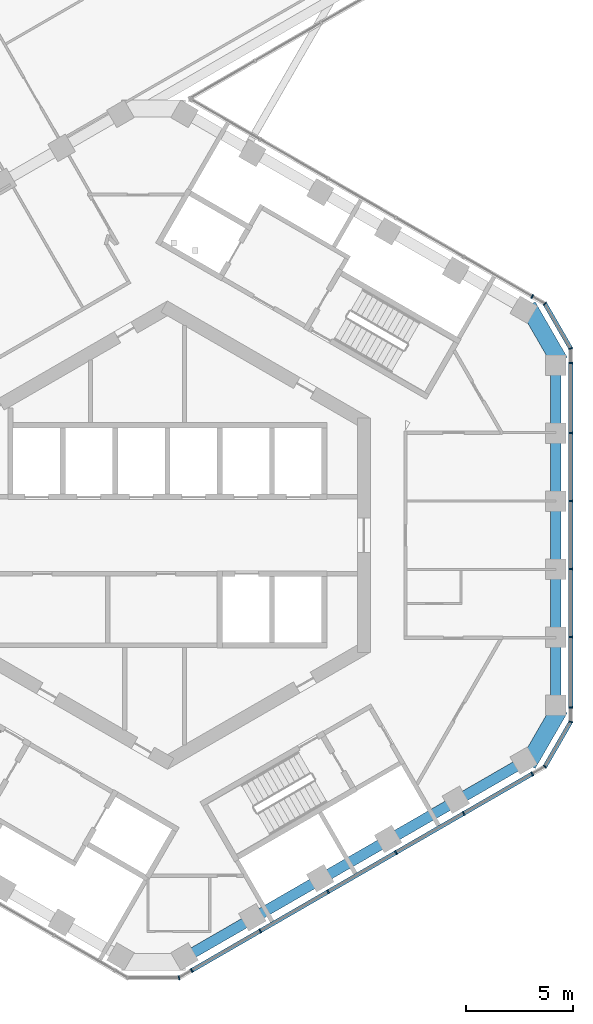
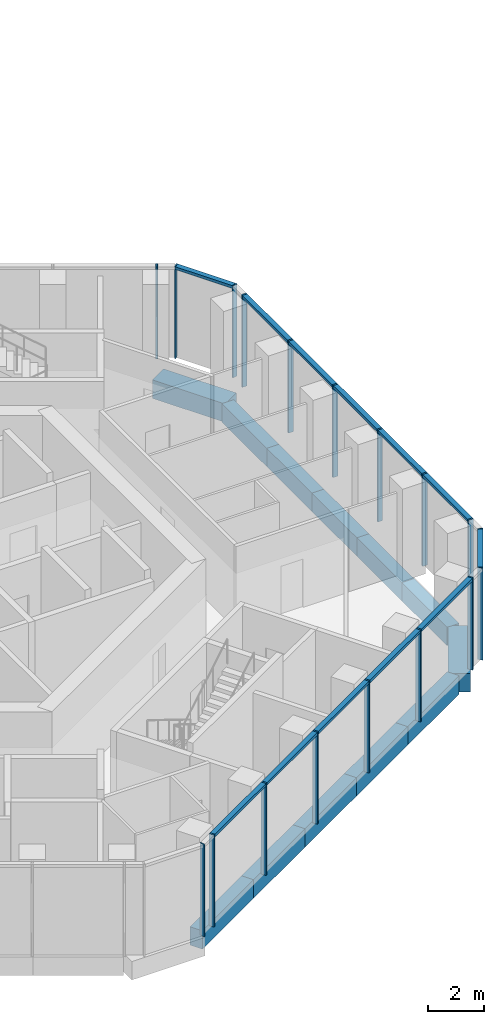
# One storey, part 4 of 21: 22 members, 12 beams, 6 elements without a shape of their own.
"""IFC4 building model written with IfcOpenShell, lengths in metres."""

from ifc_helpers import new_model, si_unit, direction, frame, origin, origin_2d, place, context, subcontext, project, spatial, rectangle, extrude, material, layer, layer_set, material_profile, profile_set, type_object, element, aggregate, save


model = new_model("IFC4")

# Units and contexts
model_context = context("Model", 3, precision=1e-05, world=origin(), true_north=direction((0.0, 1.0)))
body_context = subcontext(model_context, "Body", "Model", "MODEL_VIEW")
ifc_project = project(units=[si_unit("LENGTHUNIT", "METRE"), si_unit("AREAUNIT", "SQUARE_METRE"), si_unit("VOLUMEUNIT", "CUBIC_METRE"), si_unit("PLANEANGLEUNIT", "RADIAN"), si_unit("MASSUNIT", "GRAM", prefix="KILO")], contexts=[model_context])

# Site, building, storey
site_placement = place(None, origin())
site = spatial("IfcSite", under=ifc_project, at=site_placement, CompositionType="ELEMENT")
building_placement = place(site_placement, origin())
building = spatial("IfcBuilding", under=site, at=building_placement, Name="Ayvan Gate Tower", CompositionType="ELEMENT")
storey_placement = place(building_placement, frame((0.0, 0.0, 190.699951171875)))
storey = spatial("IfcBuildingStorey", under=building, at=storey_placement, Name="L51", CompositionType="ELEMENT", Elevation=190.699951171875)

# Beams
ifc_material_1 = material(Name="Concrete C40/50", Category="concrete")
ifc_material_profile_1 = material_profile(ifc_material_1, rectangle(XDim=0.800048828125, YDim=0.800048828125, at=origin_2d()), Name="RC 800x800")
ifc_profile_set_1 = profile_set([ifc_material_profile_1], Name="Concrete C40/50")
beam_type_1 = type_object("IfcBeamType", Name="Corner spandrel beam RC 800x800 C40/50", PredefinedType="BEAM", material=ifc_profile_set_1)
for number, where, z_axis, x_axis, name in (
    (1, (18.376953125, 8.128173828125, -0.800048828125), (-0.499990139034, 0.866031096941, 0.0), (-0.866031096941, -0.499990139034, 0.0), "SB-L51-6"),
    (2, (16.876953125, -10.726318359375, -0.800048828125), (0.499990139034, 0.866031096941, 0.0), (-0.866031096941, 0.499990139034, 0.0), "SB-L51-36"),
):
    element("IfcBeam", number, at=place(storey_placement, frame(where, z_axis=z_axis, x_axis=x_axis)), inside=storey, type_object=beam_type_1, Name=name, PredefinedType="BEAM", context=body_context, shape_type="SweptSolid", body=[
        extrude(rectangle(XDim=0.800048828125, YDim=0.800048828125, at=origin_2d()), origin(), (0.0, 0.0, 1.0), 3.0),
    ])
ifc_material_profile_2 = material_profile(ifc_material_1, rectangle(XDim=0.5, YDim=0.800048828125, at=origin_2d()), Name="RC 500x800")
ifc_profile_set_2 = profile_set([ifc_material_profile_2], Name="Concrete C40/50")
beam_type_2 = type_object("IfcBeamType", Name="Spandrel beam RC 500x800 C40/50", PredefinedType="BEAM", material=ifc_profile_set_2)
for number, where, z_axis, x_axis, name in (
    (3, (18.1865234375, -8.01806640625, -0.800048828125), (0.0, 1.0, 0.0), (-1.0, 0.0, 0.0), "SB-L51-1"),
    (4, (18.1865234375, -4.810791015625, -0.800048828125), (0.0, 1.0, 0.0), (-1.0, 0.0, 0.0), "SB-L51-2"),
):
    element("IfcBeam", number, at=place(storey_placement, frame(where, z_axis=z_axis, x_axis=x_axis)), inside=storey, type_object=beam_type_2, Name=name, PredefinedType="BEAM", context=body_context, shape_type="SweptSolid", body=[
        extrude(rectangle(XDim=0.5, YDim=0.800048828125, at=origin_2d()), origin(), (0.0, 0.0, 1.0), 3.207275390625),
    ])
beam_1_placement = place(storey_placement, frame((18.1865234375, -1.603515625, -0.800048828125), z_axis=(0.0, 1.0, 0.0), x_axis=(-1.0, 0.0, 0.0)))
element("IfcBeam", 5, at=beam_1_placement, inside=storey, type_object=beam_type_2, Name="SB-L51-3", PredefinedType="BEAM", context=body_context, shape_type="SweptSolid", body=[
    extrude(rectangle(XDim=0.5, YDim=0.800048828125, at=origin_2d()), origin(), (0.0, 0.0, 1.0), 3.20703125),
])
for number, where, z_axis, x_axis, name in (
    (6, (18.1865234375, 1.603515625, -0.800048828125), (0.0, 1.0, 0.0), (-1.0, 0.0, 0.0), "SB-L51-4"),
    (7, (18.1865234375, 4.810791015625, -0.800048828125), (0.0, 1.0, 0.0), (-1.0, 0.0, 0.0), "SB-L51-5"),
):
    element("IfcBeam", number, at=place(storey_placement, frame(where, z_axis=z_axis, x_axis=x_axis)), inside=storey, type_object=beam_type_2, Name=name, PredefinedType="BEAM", context=body_context, shape_type="SweptSolid", body=[
        extrude(rectangle(XDim=0.5, YDim=0.800048828125, at=origin_2d()), origin(), (0.0, 0.0, 1.0), 3.207275390625),
    ])
beam_2_placement = place(storey_placement, frame((0.8505859375, -19.759033203125, -0.800048828125), z_axis=(0.866024393287, 0.500001750229, 0.0), x_axis=(-0.500001750229, 0.866024393287, 0.0)))
element("IfcBeam", 8, at=beam_2_placement, inside=storey, type_object=beam_type_2, Name="SB-L51-31", PredefinedType="BEAM", context=body_context, shape_type="SweptSolid", body=[
    extrude(rectangle(XDim=0.5, YDim=0.800048828125, at=origin_2d()), origin(), (0.0, 0.0, 1.0), 3.6572265625),
])
beam_3_placement = place(storey_placement, frame((4.017822265625, -17.930419921875, -0.800048828125), z_axis=(0.866053299028, 0.499951680908, 0.0), x_axis=(-0.499951680908, 0.866053299028, 0.0)))
element("IfcBeam", 9, at=beam_3_placement, inside=storey, type_object=beam_type_2, Name="SB-L51-32", PredefinedType="BEAM", context=body_context, shape_type="SweptSolid", body=[
    extrude(rectangle(XDim=0.5, YDim=0.800048828125, at=origin_2d()), origin(), (0.0, 0.0, 1.0), 3.656982421875),
])
beam_4_placement = place(storey_placement, frame((7.18505859375, -16.10205078125, -0.800048828125), z_axis=(0.866024393287, 0.500001750229, 0.0), x_axis=(-0.500001750229, 0.866024393287, 0.0)))
element("IfcBeam", 10, at=beam_4_placement, inside=storey, type_object=beam_type_2, Name="SB-L51-33", PredefinedType="BEAM", context=body_context, shape_type="SweptSolid", body=[
    extrude(rectangle(XDim=0.5, YDim=0.800048828125, at=origin_2d()), origin(), (0.0, 0.0, 1.0), 3.6572265625),
])
beam_5_placement = place(storey_placement, frame((10.352294921875, -14.2734375, -0.800048828125), z_axis=(0.866007702746, 0.500030657845, 0.0), x_axis=(-0.500030657845, 0.866007702746, 0.0)))
element("IfcBeam", 11, at=beam_5_placement, inside=storey, type_object=beam_type_2, Name="SB-L51-34", PredefinedType="BEAM", context=body_context, shape_type="SweptSolid", body=[
    extrude(rectangle(XDim=0.5, YDim=0.800048828125, at=origin_2d()), origin(), (0.0, 0.0, 1.0), 3.656982421875),
])
beam_6_placement = place(storey_placement, frame((13.519287109375, -12.44482421875, -0.800048828125), z_axis=(0.866024393287, 0.500001750229, 0.0), x_axis=(-0.500001750229, 0.866024393287, 0.0)))
element("IfcBeam", 12, at=beam_6_placement, inside=storey, type_object=beam_type_2, Name="SB-L51-35", PredefinedType="BEAM", context=body_context, shape_type="SweptSolid", body=[
    extrude(rectangle(XDim=0.5, YDim=0.800048828125, at=origin_2d()), origin(), (0.0, 0.0, 1.0), 3.6572265625),
])

# Curtain wall, members
ifc_material_2 = material(Name="Bronze anodised aluminium", Category="aluminium")
ifc_layer_1 = layer(ifc_material_2, 0.199951171875)
ifc_layer_set_1 = layer_set([ifc_layer_1], Name="Bronze anodised aluminium")
curtain_wall_type_1 = type_object("IfcCurtainWallType", Name="Stick curtain wall CW-2", PredefinedType="NOTDEFINED", material=ifc_layer_set_1)
curtain_wall_1_placement = place(storey_placement, origin())
curtain_wall_1 = element("IfcCurtainWall", 13, at=curtain_wall_1_placement, inside=storey, type_object=curtain_wall_type_1, Name="Stick curtain wall CW-2 L51", PredefinedType="NOTDEFINED")
ifc_material_profile_3 = material_profile(ifc_material_2, rectangle(XDim=0.199951171875, YDim=0.070068359375, at=origin_2d()), Name="Stick curtain wall CW-2 mullion 200 x 70")
ifc_profile_set_3 = profile_set([ifc_material_profile_3], Name="Bronze anodised aluminium")
member_type_1 = type_object("IfcMemberType", Name="Stick curtain wall CW-2 mullion 200 x 70", PredefinedType="MULLION", material=ifc_profile_set_3)
member_1_placement = place(storey_placement, frame((1.13720703125, -20.3857421875, 0.0), z_axis=(0.0, 0.0, 1.0), x_axis=(0.5, -0.866025403784, 0.0)))
member_1 = element("IfcMember", 14, at=member_1_placement, type_object=member_type_1, Name="CW-2 mullion 1", PredefinedType="MULLION", context=body_context, shape_type="SweptSolid", body=[
    extrude(rectangle(XDim=0.199951171875, YDim=0.070068359375, at=origin_2d()), origin(), (0.0, 0.0, 1.0), 4.0),
])
member_2_placement = place(storey_placement, frame((4.345947265625, -18.533203125, 0.0), z_axis=(0.0, 0.0, 1.0), x_axis=(0.5, -0.866025403784, 0.0)))
member_2 = element("IfcMember", 15, at=member_2_placement, type_object=member_type_1, Name="CW-2 mullion 2", PredefinedType="MULLION", context=body_context, shape_type="SweptSolid", body=[
    extrude(rectangle(XDim=0.199951171875, YDim=0.070068359375, at=origin_2d()), origin(), (0.0, 0.0, 1.0), 4.0),
])
member_3_placement = place(storey_placement, frame((7.523193359375, -16.69873046875, 0.0), z_axis=(0.0, 0.0, 1.0), x_axis=(0.5, -0.866025403784, 0.0)))
member_3 = element("IfcMember", 16, at=member_3_placement, type_object=member_type_1, Name="CW-2 mullion 3", PredefinedType="MULLION", context=body_context, shape_type="SweptSolid", body=[
    extrude(rectangle(XDim=0.199951171875, YDim=0.070068359375, at=origin_2d()), origin(), (0.0, 0.0, 1.0), 4.0),
])
member_4_placement = place(storey_placement, frame((10.699951171875, -14.86474609375, 0.0), z_axis=(0.0, 0.0, 1.0), x_axis=(0.5, -0.866025403784, 0.0)))
member_4 = element("IfcMember", 17, at=member_4_placement, type_object=member_type_1, Name="CW-2 mullion 4", PredefinedType="MULLION", context=body_context, shape_type="SweptSolid", body=[
    extrude(rectangle(XDim=0.199951171875, YDim=0.070068359375, at=origin_2d()), origin(), (0.0, 0.0, 1.0), 4.0),
])
member_5_placement = place(storey_placement, frame((13.877197265625, -13.0302734375, 0.0), z_axis=(0.0, 0.0, 1.0), x_axis=(0.5, -0.866025403784, 0.0)))
member_5 = element("IfcMember", 18, at=member_5_placement, type_object=member_type_1, Name="CW-2 mullion 5", PredefinedType="MULLION", context=body_context, shape_type="SweptSolid", body=[
    extrude(rectangle(XDim=0.199951171875, YDim=0.070068359375, at=origin_2d()), origin(), (0.0, 0.0, 1.0), 4.0),
])
member_6_placement = place(storey_placement, frame((17.0859375, -11.177734375, 0.0), z_axis=(0.0, 0.0, 1.0), x_axis=(0.5, -0.866025403784, 0.0)))
member_6 = element("IfcMember", 19, at=member_6_placement, type_object=member_type_1, Name="CW-2 mullion 6", PredefinedType="MULLION", context=body_context, shape_type="SweptSolid", body=[
    extrude(rectangle(XDim=0.199951171875, YDim=0.070068359375, at=origin_2d()), origin(), (0.0, 0.0, 1.0), 4.0),
])

curtain_wall_2_placement = place(storey_placement, origin())
curtain_wall_2 = element("IfcCurtainWall", 20, at=curtain_wall_2_placement, inside=storey, type_object=curtain_wall_type_1, Name="Stick curtain wall CW-2 L51", PredefinedType="NOTDEFINED")
member_7_placement = place(storey_placement, frame((18.886474609375, -8.05908203125, 0.0), z_axis=(0.0, 0.0, 1.0), x_axis=(1.0, 0.0, 0.0)))
member_7 = element("IfcMember", 21, at=member_7_placement, type_object=member_type_1, Name="CW-2 mullion 1", PredefinedType="MULLION", context=body_context, shape_type="SweptSolid", body=[
    extrude(rectangle(XDim=0.199951171875, YDim=0.070068359375, at=origin_2d()), origin(), (0.0, 0.0, 1.0), 4.0),
])
member_8_placement = place(storey_placement, frame((18.886474609375, -4.777099609375, 0.0), z_axis=(0.0, 0.0, 1.0), x_axis=(1.0, 0.0, 0.0)))
member_8 = element("IfcMember", 22, at=member_8_placement, type_object=member_type_1, Name="CW-2 mullion 2", PredefinedType="MULLION", context=body_context, shape_type="SweptSolid", body=[
    extrude(rectangle(XDim=0.199951171875, YDim=0.070068359375, at=origin_2d()), origin(), (0.0, 0.0, 1.0), 4.0),
])
member_9_placement = place(storey_placement, frame((18.886474609375, -1.59228515625, 0.0), z_axis=(0.0, 0.0, 1.0), x_axis=(1.0, 0.0, 0.0)))
member_9 = element("IfcMember", 23, at=member_9_placement, type_object=member_type_1, Name="CW-2 mullion 3", PredefinedType="MULLION", context=body_context, shape_type="SweptSolid", body=[
    extrude(rectangle(XDim=0.199951171875, YDim=0.070068359375, at=origin_2d()), origin(), (0.0, 0.0, 1.0), 4.0),
])
member_10_placement = place(storey_placement, frame((18.886474609375, 1.5927734375, 0.0), z_axis=(0.0, 0.0, 1.0), x_axis=(1.0, 0.0, 0.0)))
member_10 = element("IfcMember", 24, at=member_10_placement, type_object=member_type_1, Name="CW-2 mullion 4", PredefinedType="MULLION", context=body_context, shape_type="SweptSolid", body=[
    extrude(rectangle(XDim=0.199951171875, YDim=0.070068359375, at=origin_2d()), origin(), (0.0, 0.0, 1.0), 4.0),
])
member_11_placement = place(storey_placement, frame((18.886474609375, 4.77685546875, 0.0), z_axis=(0.0, 0.0, 1.0), x_axis=(1.0, 0.0, 0.0)))
member_11 = element("IfcMember", 25, at=member_11_placement, type_object=member_type_1, Name="CW-2 mullion 5", PredefinedType="MULLION", context=body_context, shape_type="SweptSolid", body=[
    extrude(rectangle(XDim=0.199951171875, YDim=0.070068359375, at=origin_2d()), origin(), (0.0, 0.0, 1.0), 4.0),
])
member_12_placement = place(storey_placement, frame((18.886474609375, 8.05908203125, 0.0), z_axis=(0.0, 0.0, 1.0), x_axis=(1.0, 0.0, 0.0)))
member_12 = element("IfcMember", 26, at=member_12_placement, type_object=member_type_1, Name="CW-2 mullion 6", PredefinedType="MULLION", context=body_context, shape_type="SweptSolid", body=[
    extrude(rectangle(XDim=0.199951171875, YDim=0.070068359375, at=origin_2d()), origin(), (0.0, 0.0, 1.0), 4.0),
])

# Curtain wall, member
curtain_wall_3_placement = place(storey_placement, origin())
curtain_wall_3 = element("IfcCurtainWall", 27, at=curtain_wall_3_placement, inside=storey, type_object=curtain_wall_type_1, Name="Stick curtain wall CW-2 L51", PredefinedType="NOTDEFINED")
member_13_placement = place(storey_placement, frame((17.0859375, 11.177734375, 0.0), z_axis=(0.0, 0.0, 1.0), x_axis=(0.5, 0.866025403784, 0.0)))
member_13 = element("IfcMember", 28, at=member_13_placement, type_object=member_type_1, Name="CW-2 mullion 1", PredefinedType="MULLION", context=body_context, shape_type="SweptSolid", body=[
    extrude(rectangle(XDim=0.199951171875, YDim=0.070068359375, at=origin_2d()), origin(), (0.0, 0.0, 1.0), 4.0),
])
aggregate(curtain_wall_3, [member_13])

# Member
ifc_material_profile_4 = material_profile(ifc_material_2, rectangle(XDim=0.199951171875, YDim=0.1201171875, at=origin_2d()), Name="Stick curtain wall CW-2 transom 200 x 120")
ifc_profile_set_4 = profile_set([ifc_material_profile_4], Name="Bronze anodised aluminium")
member_type_2 = type_object("IfcMemberType", Name="Stick curtain wall CW-2 transom 200 x 120", PredefinedType="USERDEFINED", material=ifc_profile_set_4)
member_14_placement = place(storey_placement, frame((1.13720703125, -20.3857421875, 3.93994140625), z_axis=(0.86602531013, 0.500000162215, 0.0), x_axis=(-0.500000162215, 0.86602531013, 0.0)))
member_14 = element("IfcMember", 29, at=member_14_placement, type_object=member_type_2, Name="CW-2 transom 1", ObjectType="TRANSOM", PredefinedType="USERDEFINED", context=body_context, shape_type="SweptSolid", body=[
    extrude(rectangle(XDim=0.199951171875, YDim=0.1201171875, at=origin_2d()), origin(), (0.0, 0.0, 1.0), 18.416015625),
])

aggregate(curtain_wall_1, [member_1, member_2, member_3, member_4, member_5, member_6, member_14])

member_15_placement = place(storey_placement, frame((18.886474609375, -8.05908203125, 3.93994140625), z_axis=(0.0, 1.0, 0.0), x_axis=(-1.0, 0.0, 0.0)))
member_15 = element("IfcMember", 30, at=member_15_placement, type_object=member_type_2, Name="CW-2 transom 1", ObjectType="TRANSOM", PredefinedType="USERDEFINED", context=body_context, shape_type="SweptSolid", body=[
    extrude(rectangle(XDim=0.199951171875, YDim=0.1201171875, at=origin_2d()), origin(), (0.0, 0.0, 1.0), 16.1181640625),
])

aggregate(curtain_wall_2, [member_7, member_8, member_9, member_10, member_11, member_12, member_15])

# Curtain wall, member
ifc_layer_2 = layer(ifc_material_2, 0.199951171875)
ifc_layer_set_2 = layer_set([ifc_layer_2], Name="Bronze anodised aluminium")
curtain_wall_type_2 = type_object("IfcCurtainWallType", Name="Stick curtain wall CW-6", PredefinedType="NOTDEFINED", material=ifc_layer_set_2)
curtain_wall_4_placement = place(storey_placement, origin())
curtain_wall_4 = element("IfcCurtainWall", 31, at=curtain_wall_4_placement, inside=storey, type_object=curtain_wall_type_2, Name="Stick curtain wall CW-6 L51", PredefinedType="NOTDEFINED")
ifc_material_profile_5 = material_profile(ifc_material_2, rectangle(XDim=0.199951171875, YDim=0.050048828125, at=origin_2d()), Name="Stick curtain wall CW-6 mullion 200 x 50")
ifc_profile_set_5 = profile_set([ifc_material_profile_5], Name="Bronze anodised aluminium")
member_type_3 = type_object("IfcMemberType", Name="Stick curtain wall CW-6 mullion 200 x 50", PredefinedType="MULLION", material=ifc_profile_set_5)
member_16_placement = place(storey_placement, frame((0.5439453125, -20.728271484375, 0.0), z_axis=(0.0, 0.0, 1.0), x_axis=(0.258819045103, -0.965925826289, 0.0)))
member_16 = element("IfcMember", 32, at=member_16_placement, type_object=member_type_3, Name="CW-6 mullion 3", PredefinedType="MULLION", context=body_context, shape_type="SweptSolid", body=[
    extrude(rectangle(XDim=0.199951171875, YDim=0.050048828125, at=origin_2d()), origin(), (0.0, 0.0, 1.0), 4.0),
])
aggregate(curtain_wall_4, [member_16])

# Curtain wall, members
curtain_wall_5_placement = place(storey_placement, origin())
curtain_wall_5 = element("IfcCurtainWall", 33, at=curtain_wall_5_placement, inside=storey, type_object=curtain_wall_type_2, Name="Stick curtain wall CW-6 L51", PredefinedType="NOTDEFINED")
member_17_placement = place(storey_placement, frame((17.67919921875, -10.835205078125, 0.0), z_axis=(0.0, 0.0, 1.0), x_axis=(0.707106781187, -0.707106781187, 0.0)))
member_17 = element("IfcMember", 34, at=member_17_placement, type_object=member_type_3, Name="CW-6 mullion 2", PredefinedType="MULLION", context=body_context, shape_type="SweptSolid", body=[
    extrude(rectangle(XDim=0.199951171875, YDim=0.050048828125, at=origin_2d()), origin(), (0.0, 0.0, 1.0), 4.0),
])
member_18_placement = place(storey_placement, frame((18.886474609375, -8.744140625, 0.0), z_axis=(0.0, 0.0, 1.0), x_axis=(0.965925826289, -0.258819045103, 0.0)))
member_18 = element("IfcMember", 35, at=member_18_placement, type_object=member_type_3, Name="CW-6 mullion 3", PredefinedType="MULLION", context=body_context, shape_type="SweptSolid", body=[
    extrude(rectangle(XDim=0.199951171875, YDim=0.050048828125, at=origin_2d()), origin(), (0.0, 0.0, 1.0), 4.0),
])

curtain_wall_6_placement = place(storey_placement, origin())
curtain_wall_6 = element("IfcCurtainWall", 36, at=curtain_wall_6_placement, inside=storey, type_object=curtain_wall_type_2, Name="Stick curtain wall CW-6 L51", PredefinedType="NOTDEFINED")
member_19_placement = place(storey_placement, frame((18.886474609375, 8.744140625, 0.0), z_axis=(0.0, 0.0, 1.0), x_axis=(0.965925826289, 0.258819045103, 0.0)))
member_19 = element("IfcMember", 37, at=member_19_placement, type_object=member_type_3, Name="CW-6 mullion 2", PredefinedType="MULLION", context=body_context, shape_type="SweptSolid", body=[
    extrude(rectangle(XDim=0.199951171875, YDim=0.050048828125, at=origin_2d()), origin(), (0.0, 0.0, 1.0), 4.0),
])
member_20_placement = place(storey_placement, frame((17.67919921875, 10.835205078125, 0.0), z_axis=(0.0, 0.0, 1.0), x_axis=(0.707106781187, 0.707106781187, 0.0)))
member_20 = element("IfcMember", 38, at=member_20_placement, type_object=member_type_3, Name="CW-6 mullion 3", PredefinedType="MULLION", context=body_context, shape_type="SweptSolid", body=[
    extrude(rectangle(XDim=0.199951171875, YDim=0.050048828125, at=origin_2d()), origin(), (0.0, 0.0, 1.0), 4.0),
])

# Member
ifc_material_profile_6 = material_profile(ifc_material_2, rectangle(XDim=0.199951171875, YDim=0.1201171875, at=origin_2d()), Name="Stick curtain wall CW-6 transom 200 x 120")
ifc_profile_set_6 = profile_set([ifc_material_profile_6], Name="Bronze anodised aluminium")
member_type_4 = type_object("IfcMemberType", Name="Stick curtain wall CW-6 transom 200 x 120", PredefinedType="USERDEFINED", material=ifc_profile_set_6)
member_21_placement = place(storey_placement, frame((17.691650390625, -10.813720703125, 3.93994140625), z_axis=(0.500014398087, 0.866017090885, 0.0), x_axis=(-0.866017090885, 0.500014398087, 0.0)))
member_21 = element("IfcMember", 39, at=member_21_placement, type_object=member_type_4, Name="CW-6 transom 2", ObjectType="TRANSOM", PredefinedType="USERDEFINED", context=body_context, shape_type="SweptSolid", body=[
    extrude(rectangle(XDim=0.199951171875, YDim=0.1201171875, at=origin_2d()), origin(), (0.0, 0.0, 1.0), 2.36474609375),
])

aggregate(curtain_wall_5, [member_17, member_18, member_21])

member_22_placement = place(storey_placement, frame((18.8740234375, 8.765869140625, 3.93994140625), z_axis=(-0.500014398087, 0.866017090885, 0.0), x_axis=(-0.866017090885, -0.500014398087, 0.0)))
member_22 = element("IfcMember", 40, at=member_22_placement, type_object=member_type_4, Name="CW-6 transom 2", ObjectType="TRANSOM", PredefinedType="USERDEFINED", context=body_context, shape_type="SweptSolid", body=[
    extrude(rectangle(XDim=0.199951171875, YDim=0.1201171875, at=origin_2d()), origin(), (0.0, 0.0, 1.0), 2.36474609375),
])

aggregate(curtain_wall_6, [member_19, member_20, member_22])

save(model, "model.ifc")
